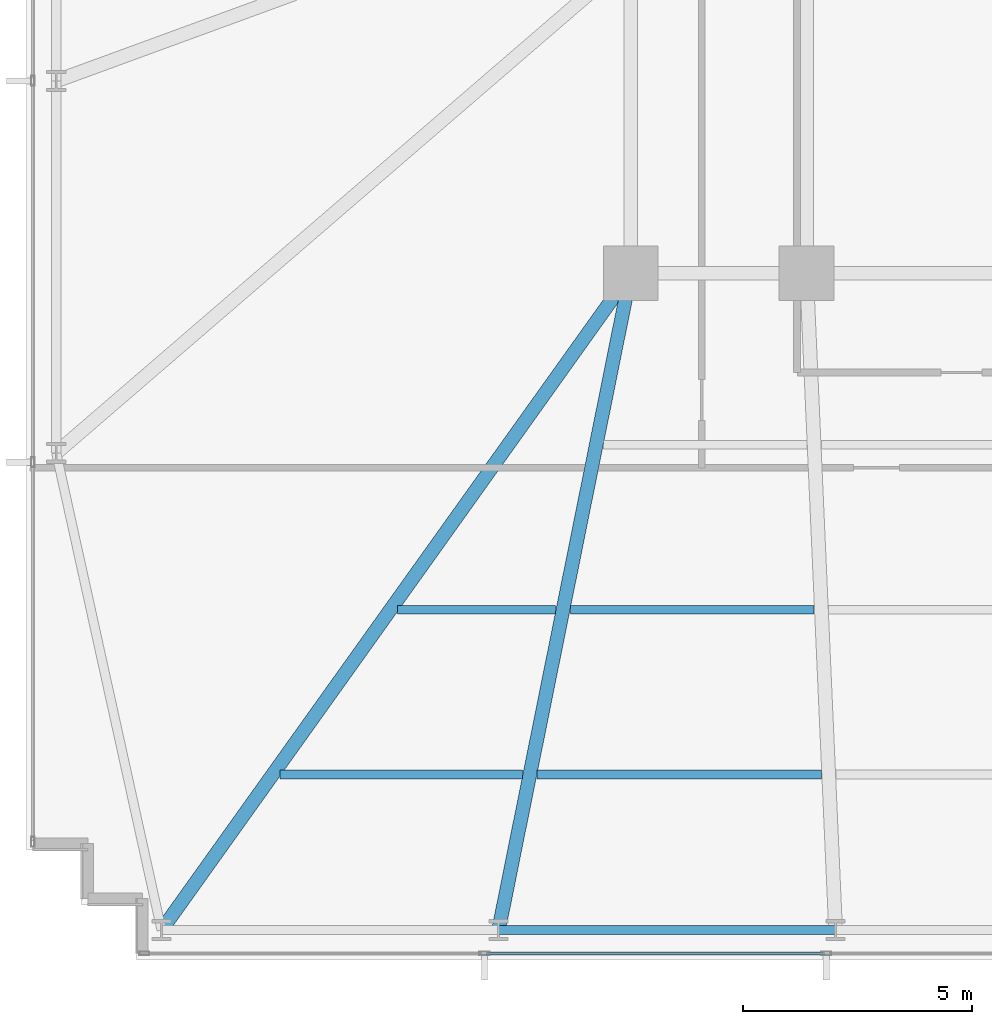
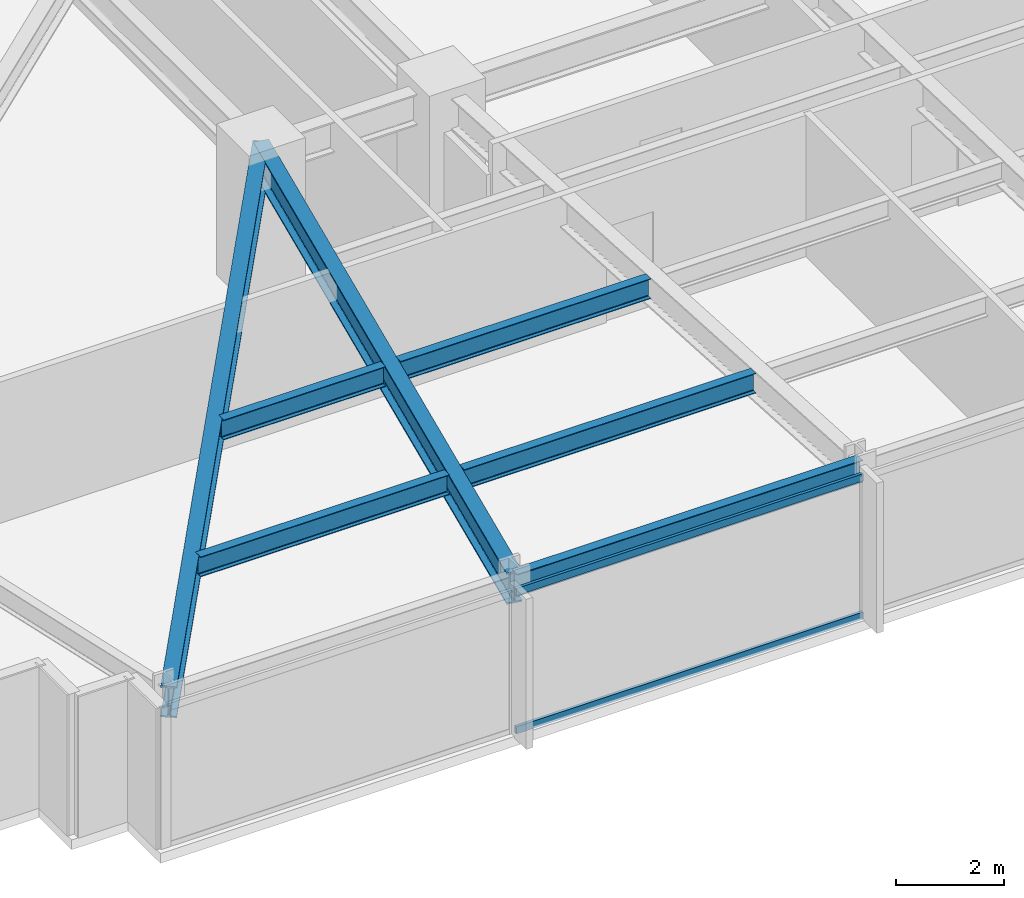
# One storey, part 3 of 32: 7 beams, 2 members, 1 element without a shape of its own.
"""IFC4 building model written with IfcOpenShell, lengths in metres."""

import ifcopenshell
import ifcopenshell.guid

model = None  # the IFC model being written
_history = None  # IfcOwnerHistory: only IFC2X3 demands one
_inside = {}  # id of a spatial element -> (the spatial element, [elements in it])
_under = {}  # id of a project, library or spatial element -> (it, [spatial elements below it])
_declared = {}  # id of a project -> (the project, [libraries it declares])
_typed = {}  # id of a type object -> (the type object, [elements of that type])
_made_of = {}  # id of a material, layer set ... -> (it, [elements and type objects made of it])


def new_model(schema):
    """Start an empty IFC model of exactly this schema.

    Asked for "IFC4X3", IfcOpenShell would pick the latest addendum, in which some entities
    have other attributes; the version numbers below select the first issue.
    IFC2X3 requires an IfcOwnerHistory on every rooted entity: one is made here for all.
    """
    global model, _history
    if schema == "IFC4X3":
        model = ifcopenshell.file(schema_version=(4, 3, 0, 0))
    else:
        model = ifcopenshell.file(schema=schema)
    _inside.clear()
    _under.clear()
    _declared.clear()
    _typed.clear()
    _made_of.clear()
    _history = None
    if model.schema == "IFC2X3":
        org = make("IfcOrganization", Name="unknown")
        user = make(
            "IfcPersonAndOrganization",
            ThePerson=make("IfcPerson", FamilyName="unknown"),
            TheOrganization=org,
        )
        app = make(
            "IfcApplication",
            ApplicationDeveloper=org,
            Version="unknown",
            ApplicationFullName="unknown",
            ApplicationIdentifier="unknown",
        )
        _history = make(
            "IfcOwnerHistory",
            OwningUser=user,
            OwningApplication=app,
            ChangeAction="ADDED",
            CreationDate=0,
        )
    return model


def make(cls, **values):
    """One entity of the class cls with the attributes given. An attribute that is None is left unset."""
    return model.create_entity(
        cls, **{name: value for name, value in values.items() if value is not None}
    )


def rooted(cls, **values):
    """An entity with a GlobalId (a new one), such as an element, a storey or a relation."""
    return make(cls, GlobalId=ifcopenshell.guid.new(), OwnerHistory=_history, **values)


def si_unit(unit_type, name, prefix=None):
    """IfcSIUnit, for example si_unit("LENGTHUNIT", "METRE", prefix="MILLI")."""
    return make("IfcSIUnit", UnitType=unit_type, Prefix=prefix, Name=name)


def assignment(units):
    """IfcUnitAssignment: the units of a project."""
    return None if units is None else make("IfcUnitAssignment", Units=units)


def point(xyz):
    """IfcCartesianPoint."""
    return None if xyz is None else make("IfcCartesianPoint", Coordinates=xyz)


def direction(xyz):
    """IfcDirection."""
    return None if xyz is None else make("IfcDirection", DirectionRatios=xyz)


def frame(location, z_axis=None, x_axis=None):
    """IfcAxis2Placement3D, a coordinate frame: its origin and axes. An axis left out is left unset."""
    return make(
        "IfcAxis2Placement3D",
        Location=point(location),
        Axis=direction(z_axis),
        RefDirection=direction(x_axis),
    )


def frame_2d(location, x_axis=None):
    """IfcAxis2Placement2D, a coordinate frame in the plane: its origin and x axis."""
    return make(
        "IfcAxis2Placement2D", Location=point(location), RefDirection=direction(x_axis)
    )


def origin():
    """The frame at (0, 0, 0) with its axes left unset."""
    return frame((0.0, 0.0, 0.0))


def origin_2d():
    """The frame at (0, 0) in the plane with its x axis left unset."""
    return frame_2d((0.0, 0.0))


def place(relative_to, where):
    """IfcLocalPlacement: puts the frame where relative to a parent placement (None: the world)."""
    return make(
        "IfcLocalPlacement", PlacementRelTo=relative_to, RelativePlacement=where
    )


def context(
    kind, dimensions, precision=None, world=None, true_north=None, identifier=None
):
    """IfcGeometricRepresentationContext, for example the 3D "Model" context."""
    return make(
        "IfcGeometricRepresentationContext",
        ContextIdentifier=identifier,
        ContextType=kind,
        CoordinateSpaceDimension=dimensions,
        Precision=precision,
        WorldCoordinateSystem=world,
        TrueNorth=true_north,
    )


def subcontext(parent, identifier, kind, view, scale=None):
    """IfcGeometricRepresentationSubContext, for example "Body" below "Model"."""
    return make(
        "IfcGeometricRepresentationSubContext",
        ContextIdentifier=identifier,
        ContextType=kind,
        ParentContext=parent,
        TargetScale=scale,
        TargetView=view,
    )


def project(units=None, contexts=None):
    """IfcProject with its units and contexts."""
    return rooted(
        "IfcProject",
        Name="project",
        RepresentationContexts=contexts,
        UnitsInContext=assignment(units),
    )


def spatial(cls, under=None, at=None, **own):
    """A site, building, storey or space (cls), placed at a placement, below another one or the project."""
    s = rooted(cls, ObjectPlacement=at, **own)
    if under is not None:
        _under.setdefault(under.id(), (under, []))[1].append(s)
    return s


def profile(cls, at=None, kind="AREA", **sizes):
    """A parametric profile (cls). Its sizes go by their IFC names, for example OverallWidth=200.0."""
    return make(cls, ProfileType=kind, Position=at, **sizes)


def hollow_rectangle(**sizes):
    """IfcRectangleHollowProfileDef."""
    return profile("IfcRectangleHollowProfileDef", **sizes)


def i_section(**sizes):
    """IfcIShapeProfileDef."""
    return profile("IfcIShapeProfileDef", **sizes)


def extrude(swept, where, along, depth):
    """IfcExtrudedAreaSolid: the profile swept, set in the frame where, extruded along a direction by depth."""
    return make(
        "IfcExtrudedAreaSolid",
        SweptArea=swept,
        Position=where,
        ExtrudedDirection=direction(along),
        Depth=depth,
    )


def shape(context_of_items, identifier, shape_type, items):
    """IfcShapeRepresentation: the items that make up one representation, for example the "Body"."""
    return make(
        "IfcShapeRepresentation",
        ContextOfItems=context_of_items,
        RepresentationIdentifier=identifier,
        RepresentationType=shape_type,
        Items=items,
    )


def material(Name=None, Category=None):
    """IfcMaterial."""
    return make("IfcMaterial", Name=Name, Category=Category)


def material_profile(
    of_material, cross_section, Name=None, Category=None, Priority=None
):
    """IfcMaterialProfile: a cross section and its material."""
    return make(
        "IfcMaterialProfile",
        Name=Name,
        Material=of_material,
        Profile=cross_section,
        Priority=Priority,
        Category=Category,
    )


def profile_set(profiles, Name=None, composite=None):
    """IfcMaterialProfileSet."""
    return make(
        "IfcMaterialProfileSet",
        Name=Name,
        MaterialProfiles=profiles,
        CompositeProfile=composite,
    )


def made_of(thing, what):
    """Note that an element or type object is made of a material, layer set ...; save() writes the relation."""
    if what is not None:
        _made_of.setdefault(what.id(), (what, []))[1].append(thing)
    return thing


def type_object(cls, material=None, **own):
    """A type object (cls), such as IfcWallType, which elements share."""
    return made_of(rooted(cls, **own), material)


def element(
    cls,
    number,
    at=None,
    inside=None,
    cuts=None,
    type_object=None,
    material=None,
    context=None,
    identifier="Body",
    shape_type=None,
    held_by="IfcProductDefinitionShape",
    body=None,
    shapes=None,
    **own,
):
    """One element of the class cls, such as IfcWall. Its Tag is "e" and its number.

    at: its placement. inside: the storey or other place that contains it. cuts: it is an
    opening in that element (IfcRelVoidsElement). A single representation is given by context,
    identifier, shape_type and body (its items); several are given by shapes. held_by: the class
    of the entity that holds the representations. save() writes the other relations.
    """
    e = rooted(cls, Tag="e%d" % number, ObjectPlacement=at, **own)
    if body is not None:
        shapes = [shape(context, identifier, shape_type, body)]
    if shapes is not None:
        e.Representation = make(held_by, Representations=shapes)
    if inside is not None:
        _inside.setdefault(inside.id(), (inside, []))[1].append(e)
    if cuts is not None:
        rooted(
            "IfcRelVoidsElement", RelatingBuildingElement=cuts, RelatedOpeningElement=e
        )
    if type_object is not None:
        _typed.setdefault(type_object.id(), (type_object, []))[1].append(e)
    return made_of(e, material)


def aggregate(whole, parts):
    """IfcRelAggregates: a whole, such as a stair, and the parts it consists of."""
    return rooted("IfcRelAggregates", RelatingObject=whole, RelatedObjects=parts)


def save(model, path):
    """Write the relations noted so far, then the file.

    IfcRelAggregates (storeys below a building ...), IfcRelContainedInSpatialStructure (elements
    in a storey), IfcRelDefinesByType, IfcRelAssociatesMaterial and IfcRelDeclares: one each for
    every whole, place, type object, material and project.
    """
    for whole, parts in _under.values():
        aggregate(whole, parts)
    for where, things in _inside.values():
        rooted(
            "IfcRelContainedInSpatialStructure",
            RelatedElements=things,
            RelatingStructure=where,
        )
    for kind, things in _typed.values():
        rooted("IfcRelDefinesByType", RelatedObjects=things, RelatingType=kind)
    for what, things in _made_of.values():
        rooted("IfcRelAssociatesMaterial", RelatedObjects=things, RelatingMaterial=what)
    for by, libraries in _declared.values():
        rooted("IfcRelDeclares", RelatingContext=by, RelatedDefinitions=libraries)
    model.write(path)


model = new_model("IFC4")

# Units and contexts
model_context = context("Model", 3, precision=1e-05, world=origin(), true_north=direction((0.0, 1.0)))
body_context = subcontext(model_context, "Body", "Model", "MODEL_VIEW")
ifc_project = project(units=[si_unit("LENGTHUNIT", "METRE"), si_unit("AREAUNIT", "SQUARE_METRE"), si_unit("VOLUMEUNIT", "CUBIC_METRE"), si_unit("PLANEANGLEUNIT", "RADIAN"), si_unit("MASSUNIT", "GRAM", prefix="KILO")], contexts=[model_context])

# Site, building, storey
site_placement = place(None, origin())
site = spatial("IfcSite", under=ifc_project, at=site_placement, CompositionType="ELEMENT")
building_placement = place(site_placement, origin())
building = spatial("IfcBuilding", under=site, at=building_placement, Name="Yelkora Congress Tower", CompositionType="ELEMENT")
storey_placement = place(building_placement, frame((0.0, 0.0, 40.60009765625)))
storey = spatial("IfcBuildingStorey", under=building, at=storey_placement, Name="L09", CompositionType="ELEMENT", Elevation=40.60009765625)

# Beams
ifc_material_1 = material(Name="Steel S355J2", Category="steel")
ifc_material_profile_1 = material_profile(ifc_material_1, i_section(OverallWidth=0.300048828125, OverallDepth=0.699951171875, WebThickness=0.01708984375, FlangeThickness=0.031982421875, FilletRadius=0.027099609375, at=origin_2d()), Name="HEB 700")
ifc_profile_set_1 = profile_set([ifc_material_profile_1], Name="Steel S355J2")
beam_type_1 = type_object("IfcBeamType", Name="BM-GIRD-HEB700", PredefinedType="BEAM", material=ifc_profile_set_1)
beam_1_placement = place(storey_placement, frame((8.949951171875, 10.85009765625, 2.829833984375), z_axis=(0.581242122521, 0.813730664906, 0.0), x_axis=(-0.813730664906, 0.581242122521, 0.0)))
element("IfcBeam", 1, at=beam_1_placement, inside=storey, type_object=beam_type_1, Name="L09 Primary Frame Girder S01", PredefinedType="BEAM", context=body_context, shape_type="SweptSolid", body=[
    extrude(i_section(OverallWidth=0.300048828125, OverallDepth=0.699951171875, WebThickness=0.01708984375, FlangeThickness=0.031982421875, FilletRadius=0.027099609375, at=origin_2d()), origin(), (0.0, 0.0, 1.0), 17.634765625),
])
beam_2_placement = place(storey_placement, frame((16.3125, 10.85009765625, 2.829833984375), z_axis=(0.197264295931, 0.980350344291, 0.0), x_axis=(-0.980350344291, 0.197264295931, 0.0)))
element("IfcBeam", 2, at=beam_2_placement, inside=storey, type_object=beam_type_1, Name="L09 Primary Frame Girder S02", PredefinedType="BEAM", context=body_context, shape_type="SweptSolid", body=[
    extrude(i_section(OverallWidth=0.300048828125, OverallDepth=0.699951171875, WebThickness=0.01708984375, FlangeThickness=0.031982421875, FilletRadius=0.027099609375, at=origin_2d()), origin(), (0.0, 0.0, 1.0), 14.637451171875),
])
ifc_material_profile_2 = material_profile(ifc_material_1, i_section(OverallWidth=0.18994140625, OverallDepth=0.449951171875, WebThickness=0.009521484375, FlangeThickness=0.0146484375, FilletRadius=0.02099609375, at=origin_2d()), Name="IPE 450")
ifc_profile_set_2 = profile_set([ifc_material_profile_2], Name="Steel S355J2")
beam_type_2 = type_object("IfcBeamType", Name="BM-JOIST-IPE450", PredefinedType="JOIST", material=ifc_profile_set_2)
beam_3_placement = place(storey_placement, frame((11.53857421875, 14.25, 2.954833984375), z_axis=(1.0, 0.0, 0.0), x_axis=(0.0, 1.0, 0.0)))
element("IfcBeam", 3, at=beam_3_placement, inside=storey, type_object=beam_type_2, Name="L09 Composite Floor Joist 1", PredefinedType="JOIST", context=body_context, shape_type="SweptSolid", body=[
    extrude(i_section(OverallWidth=0.18994140625, OverallDepth=0.449951171875, WebThickness=0.009521484375, FlangeThickness=0.0146484375, FilletRadius=0.02099609375, at=origin_2d()), origin(), (0.0, 0.0, 1.0), 5.298095703125),
])
beam_4_placement = place(storey_placement, frame((17.156494140625, 14.25, 2.954833984375), z_axis=(1.0, 0.0, 0.0), x_axis=(0.0, 1.0, 0.0)))
element("IfcBeam", 4, at=beam_4_placement, inside=storey, type_object=beam_type_2, Name="L09 Composite Floor Joist 2", PredefinedType="JOIST", context=body_context, shape_type="SweptSolid", body=[
    extrude(i_section(OverallWidth=0.18994140625, OverallDepth=0.449951171875, WebThickness=0.009521484375, FlangeThickness=0.0146484375, FilletRadius=0.02099609375, at=origin_2d()), origin(), (0.0, 0.0, 1.0), 6.2080078125),
])
beam_5_placement = place(storey_placement, frame((14.110107421875, 17.85009765625, 2.954833984375), z_axis=(1.0, 0.0, 0.0), x_axis=(0.0, 1.0, 0.0)))
element("IfcBeam", 5, at=beam_5_placement, inside=storey, type_object=beam_type_2, Name="L09 Composite Floor Joist 9", PredefinedType="JOIST", context=body_context, shape_type="SweptSolid", body=[
    extrude(i_section(OverallWidth=0.18994140625, OverallDepth=0.449951171875, WebThickness=0.009521484375, FlangeThickness=0.0146484375, FilletRadius=0.02099609375, at=origin_2d()), origin(), (0.0, 0.0, 1.0), 3.450927734375),
])
beam_6_placement = place(storey_placement, frame((17.881103515625, 17.85009765625, 2.954833984375), z_axis=(1.0, 0.0, 0.0), x_axis=(0.0, 1.0, 0.0)))
element("IfcBeam", 6, at=beam_6_placement, inside=storey, type_object=beam_type_2, Name="L09 Composite Floor Joist 10", PredefinedType="JOIST", context=body_context, shape_type="SweptSolid", body=[
    extrude(i_section(OverallWidth=0.18994140625, OverallDepth=0.449951171875, WebThickness=0.009521484375, FlangeThickness=0.0146484375, FilletRadius=0.02099609375, at=origin_2d()), origin(), (0.0, 0.0, 1.0), 5.323974609375),
])
ifc_material_profile_3 = material_profile(ifc_material_1, i_section(OverallWidth=0.199951171875, OverallDepth=0.5, WebThickness=0.01025390625, FlangeThickness=0.01611328125, FilletRadius=0.02099609375, at=origin_2d()), Name="IPE 500")
ifc_profile_set_3 = profile_set([ifc_material_profile_3], Name="Steel S355J2")
beam_type_3 = type_object("IfcBeamType", Name="BM-SPAN-IPE500", PredefinedType="SPANDREL", material=ifc_profile_set_3)
beam_7_placement = place(storey_placement, frame((16.3125, 10.85009765625, 2.929931640625), z_axis=(1.0, 0.0, 0.0), x_axis=(0.0, 1.0, 0.0)))
element("IfcBeam", 7, at=beam_7_placement, inside=storey, type_object=beam_type_3, Name="L09 Perimeter Beam 3", PredefinedType="SPANDREL", context=body_context, shape_type="SweptSolid", body=[
    extrude(i_section(OverallWidth=0.199951171875, OverallDepth=0.5, WebThickness=0.01025390625, FlangeThickness=0.01611328125, FilletRadius=0.02099609375, at=origin_2d()), origin(), (0.0, 0.0, 1.0), 7.362548828125),
])

# Curtain wall, members
ifc_material_2 = material(Name="Anodised aluminium and insulated glass", Category="aluminium")
curtain_wall_type = type_object("IfcCurtainWallType", Name="CW-SYS-B1", PredefinedType="NOTDEFINED", material=ifc_material_2)
curtain_wall_placement = place(storey_placement, origin())
curtain_wall = element("IfcCurtainWall", 8, at=curtain_wall_placement, inside=storey, type_object=curtain_wall_type, Name="L09 Unitised Curtain Wall 20", PredefinedType="NOTDEFINED")
ifc_material_3 = material(Name="Anodised aluminium 6063-T6", Category="aluminium")
ifc_material_profile_4 = material_profile(ifc_material_3, hollow_rectangle(XDim=0.06494140625, YDim=0.159912109375, WallThickness=0.00390625, at=origin_2d()), Name="ALU 65x160x4")
ifc_profile_set_4 = profile_set([ifc_material_profile_4], Name="Anodised aluminium 6063-T6")
member_type = type_object("IfcMemberType", Name="MEM-TR-B1", PredefinedType="USERDEFINED", material=ifc_profile_set_4)
member_1_placement = place(storey_placement, frame((23.4326171875, 10.340087890625, 0.032470703125), z_axis=(-1.0, 0.0, 0.0), x_axis=(0.0, -1.0, 0.0)))
member_1 = element("IfcMember", 9, at=member_1_placement, type_object=member_type, Name="CW-B1 transom 7.1", ObjectType="TRANSOM", PredefinedType="USERDEFINED", context=body_context, shape_type="SweptSolid", body=[
    extrude(hollow_rectangle(XDim=0.06494140625, YDim=0.159912109375, WallThickness=0.00390625, at=origin_2d()), origin(), (0.0, 0.0, 1.0), 7.39013671875),
])
member_2_placement = place(storey_placement, frame((23.4326171875, 10.340087890625, 3.1474609375), z_axis=(-1.0, 0.0, 0.0), x_axis=(0.0, -1.0, 0.0)))
member_2 = element("IfcMember", 10, at=member_2_placement, type_object=member_type, Name="CW-B1 transom 7.2", ObjectType="TRANSOM", PredefinedType="USERDEFINED", context=body_context, shape_type="SweptSolid", body=[
    extrude(hollow_rectangle(XDim=0.06494140625, YDim=0.159912109375, WallThickness=0.00390625, at=origin_2d()), origin(), (0.0, 0.0, 1.0), 7.39013671875),
])
aggregate(curtain_wall, [member_1, member_2])

save(model, "model.ifc")
